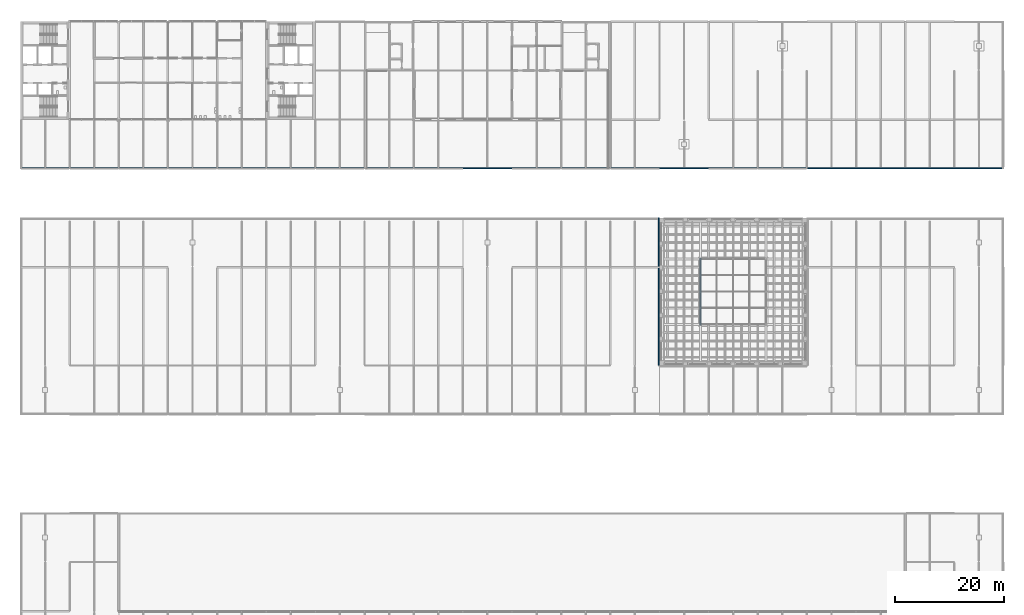
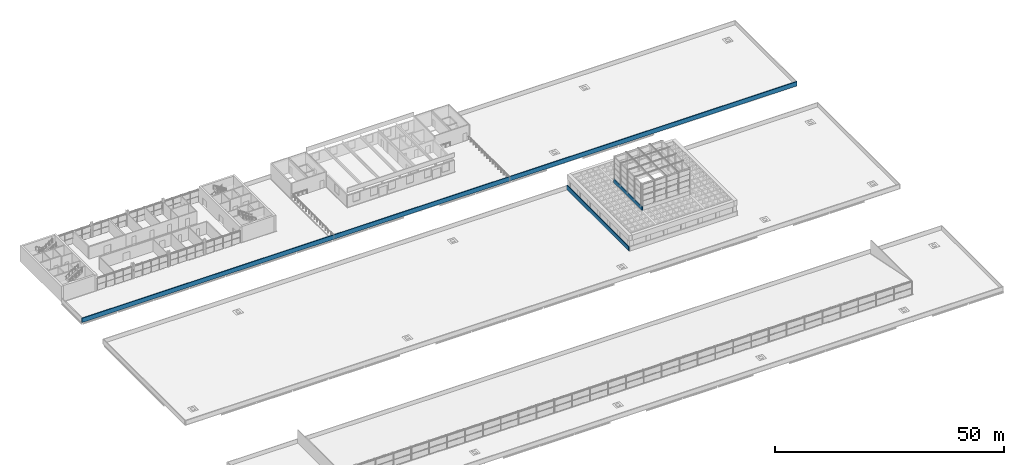
# One storey, part 45 of 50: 3 walls.
"""IFC4 building model written with IfcOpenShell, lengths in metres."""

from ifc_helpers import new_model, si_unit, direction, frame, frame_2d, origin, place, context, subcontext, project, spatial, rectangle, extrude, material, layer, layer_set, type_object, element, save


model = new_model("IFC4")

# Units and contexts
model_context = context("Model", 3, precision=1e-05, world=origin(), true_north=direction((0.0, 1.0)))
body_context = subcontext(model_context, "Body", "Model", "MODEL_VIEW")
ifc_project = project(units=[si_unit("LENGTHUNIT", "METRE"), si_unit("AREAUNIT", "SQUARE_METRE"), si_unit("VOLUMEUNIT", "CUBIC_METRE"), si_unit("PLANEANGLEUNIT", "RADIAN"), si_unit("MASSUNIT", "GRAM", prefix="KILO")], contexts=[model_context])

# Site, building, storey
site_placement = place(None, origin())
site = spatial("IfcSite", under=ifc_project, at=site_placement, CompositionType="ELEMENT")
building_placement = place(site_placement, origin())
building = spatial("IfcBuilding", under=site, at=building_placement, Name="Corbel Yard City Hall", CompositionType="ELEMENT")
storey_placement = place(building_placement, frame((0.0, 0.0, 15.0)))
storey = spatial("IfcBuildingStorey", under=building, at=storey_placement, Name="L03", CompositionType="ELEMENT", Elevation=15.0)

# Walls
ifc_material_1 = material(Name="Concrete N50 (50 MPa)", Category="concrete")
ifc_layer_1 = layer(ifc_material_1, 0.300048828125)
ifc_layer_set_1 = layer_set([ifc_layer_1], Name="Concrete N50 (50 MPa)")
wall_type_1 = type_object("IfcWallType", Name="Lantern kerb wall 300", PredefinedType="SOLIDWALL", material=ifc_layer_set_1)
wall_1_placement = place(storey_placement, frame((124.5, 61.35009765625, 3.64990234375), z_axis=(0.0, 0.0, 1.0), x_axis=(0.0, 1.0, 0.0)))
element("IfcWall", 1, at=wall_1_placement, inside=storey, type_object=wall_type_1, Name="Lantern kerb west wall", PredefinedType="SOLIDWALL", context=body_context, shape_type="SweptSolid", body=[
    extrude(rectangle(XDim=12.2998046875, YDim=0.300048828125, at=frame_2d((6.14990234375, 0.0))), origin(), (0.0, 0.0, 1.0), 1.0),
])
ifc_material_2 = material(Name="Concrete N32 (32 MPa)", Category="concrete")
ifc_layer_2 = layer(ifc_material_2, 0.199951171875)
ifc_layer_set_2 = layer_set([ifc_layer_2], Name="Concrete N32 (32 MPa)")
wall_type_2 = type_object("IfcWallType", Name="PR1", PredefinedType="PARAPET", material=ifc_layer_set_2)
wall_2_placement = place(storey_placement, frame((116.89990234375, 54.0, 0.0), z_axis=(0.0, 0.0, 1.0), x_axis=(0.0, 1.0, 0.0)))
element("IfcWall", 2, at=wall_2_placement, inside=storey, type_object=wall_type_2, Name="Roof parapet", PredefinedType="PARAPET", context=body_context, shape_type="SweptSolid", body=[
    extrude(rectangle(XDim=27.0, YDim=0.199951171875, at=frame_2d((13.5, 0.0))), origin(), (0.0, 0.0, 1.0), 1.139892578125),
])
wall_3_placement = place(storey_placement, frame((0.0, 90.10009765625, 0.0), z_axis=(0.0, 0.0, 1.0), x_axis=(1.0, 0.0, 0.0)))
element("IfcWall", 3, at=wall_3_placement, inside=storey, type_object=wall_type_2, Name="Roof parapet", PredefinedType="PARAPET", context=body_context, shape_type="SweptSolid", body=[
    extrude(rectangle(XDim=180.0, YDim=0.199951171875, at=frame_2d((90.0, 0.0))), origin(), (0.0, 0.0, 1.0), 1.139892578125),
])

save(model, "model.ifc")
